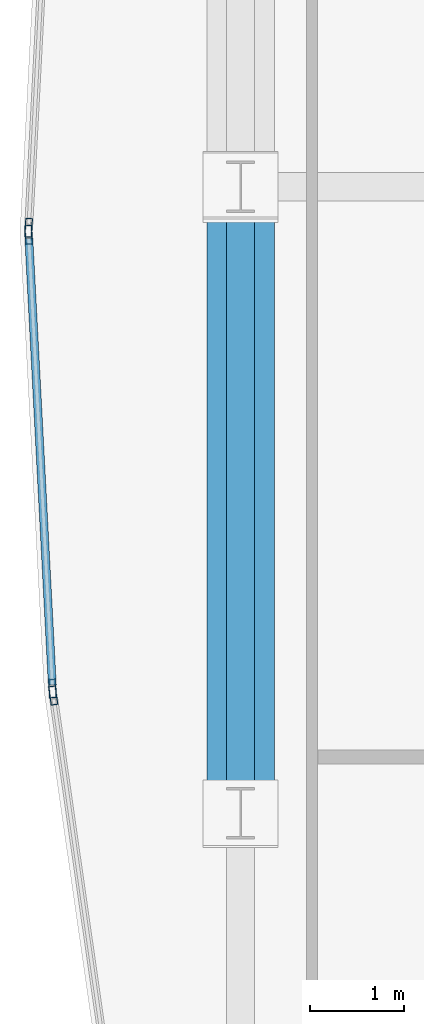
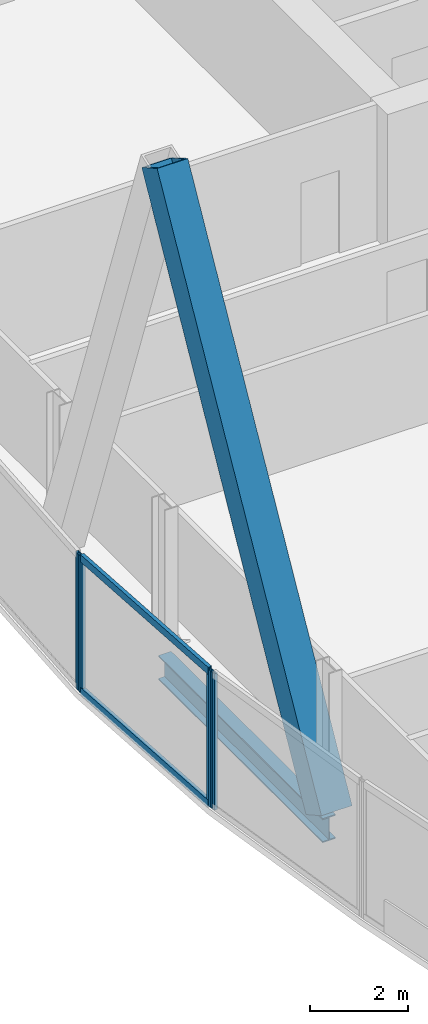
# One storey, part 10 of 31: 7 members, 1 beam, 3 elements without a shape of their own.
"""IFC4 building model written with IfcOpenShell, lengths in metres."""

from ifc_helpers import new_model, si_unit, direction, frame, origin, origin_2d, place, context, subcontext, project, spatial, hollow_rectangle, i_section, extrude, material, material_profile, profile_set, type_object, element, aggregate, save


model = new_model("IFC4")

# Units and contexts
model_context = context("Model", 3, precision=1e-05, world=origin(), true_north=direction((0.0, 1.0)))
body_context = subcontext(model_context, "Body", "Model", "MODEL_VIEW")
ifc_project = project(units=[si_unit("LENGTHUNIT", "METRE"), si_unit("AREAUNIT", "SQUARE_METRE"), si_unit("VOLUMEUNIT", "CUBIC_METRE"), si_unit("PLANEANGLEUNIT", "RADIAN"), si_unit("MASSUNIT", "GRAM", prefix="KILO")], contexts=[model_context])

# Site, building, storey
site_placement = place(None, origin())
site = spatial("IfcSite", under=ifc_project, at=site_placement, CompositionType="ELEMENT")
building_placement = place(site_placement, origin())
building = spatial("IfcBuilding", under=site, at=building_placement, Name="Khoronbel Lancet Exchange", CompositionType="ELEMENT")
storey_placement = place(building_placement, frame((0.0, 0.0, 168.60009765625)))
storey = spatial("IfcBuildingStorey", under=building, at=storey_placement, Name="L42", CompositionType="ELEMENT", Elevation=168.60009765625)

# Beam
ifc_material_1 = material(Name="Steel S355", Category="steel")
ifc_material_profile_1 = material_profile(ifc_material_1, i_section(OverallWidth=0.300048828125, OverallDepth=0.60009765625, WebThickness=0.015380859375, FlangeThickness=0.030029296875, at=origin_2d()), Name="HEB 600")
ifc_profile_set_1 = profile_set([ifc_material_profile_1], Name="Steel S355")
beam_type = type_object("IfcBeamType", Name="BM-BSP2", PredefinedType="SPANDREL", material=ifc_profile_set_1)
beam_placement = place(storey_placement, frame((5.27001953125, 31.425048828125, -0.460205078125), z_axis=(0.0, -1.0, 0.0), x_axis=(1.0, 0.0, 0.0)))
element("IfcBeam", 1, at=beam_placement, inside=storey, type_object=beam_type, Name="Level L42 perimeter spandrel beam SP19", PredefinedType="SPANDREL", context=body_context, shape_type="SweptSolid", body=[
    extrude(i_section(OverallWidth=0.300048828125, OverallDepth=0.60009765625, WebThickness=0.015380859375, FlangeThickness=0.030029296875, at=origin_2d()), origin(), (0.0, 0.0, 1.0), 6.675048828125),
])

# Curtain wall, member
ifc_material_2 = material(Name="Low-E Solar Control Insulating Glass", Category="glass")
curtain_wall_type = type_object("IfcCurtainWallType", Name="CW-4", PredefinedType="NOTDEFINED", material=ifc_material_2)
curtain_wall_1_placement = place(storey_placement, origin())
curtain_wall_1 = element("IfcCurtainWall", 2, at=curtain_wall_1_placement, inside=storey, type_object=curtain_wall_type, Name="Unitised curtain wall CW-L42-E05", PredefinedType="NOTDEFINED")
ifc_material_3 = material(Name="Bronze-Anodised Aluminium 6063-T6", Category="aluminium")
ifc_material_profile_2 = material_profile(ifc_material_3, hollow_rectangle(XDim=0.074951171875, YDim=0.199951171875, WallThickness=0.0048828125, at=origin_2d()), Name="ALU MULLION 75x200")
ifc_profile_set_2 = profile_set([ifc_material_profile_2], Name="Bronze-Anodised Aluminium 6063-T6")
member_type_1 = type_object("IfcMemberType", Name="MEM-CWM2", PredefinedType="MULLION", material=ifc_profile_set_2)
member_1_placement = place(storey_placement, frame((3.273193359375, 26.0048828125, 0.0), z_axis=(0.0, 0.0, 1.0), x_axis=(-0.989829804459, -0.142256663132, 0.0)))
member_1 = element("IfcMember", 3, at=member_1_placement, type_object=member_type_1, Name="CW4 mullion 2", PredefinedType="MULLION", context=body_context, shape_type="SweptSolid", body=[
    extrude(hollow_rectangle(XDim=0.074951171875, YDim=0.199951171875, WallThickness=0.0048828125, at=origin_2d()), origin(), (0.0, 0.0, 1.0), 3.3798828125),
])
aggregate(curtain_wall_1, [member_1])

# Curtain wall, members
curtain_wall_2_placement = place(storey_placement, origin())
curtain_wall_2 = element("IfcCurtainWall", 4, at=curtain_wall_2_placement, inside=storey, type_object=curtain_wall_type, Name="Unitised curtain wall CW-L42-E06", PredefinedType="NOTDEFINED")
member_2_placement = place(storey_placement, frame((3.265869140625, 26.07958984375, 0.0), z_axis=(0.0, 0.0, 1.0), x_axis=(-0.998619009442, -0.052536406245, 0.0)))
member_2 = element("IfcMember", 5, at=member_2_placement, type_object=member_type_1, Name="CW4 mullion 1", PredefinedType="MULLION", context=body_context, shape_type="SweptSolid", body=[
    extrude(hollow_rectangle(XDim=0.074951171875, YDim=0.199951171875, WallThickness=0.0048828125, at=origin_2d()), origin(), (0.0, 0.0, 1.0), 3.3798828125),
])
member_3_placement = place(storey_placement, frame((3.01171875, 30.91259765625, 0.0), z_axis=(0.0, 0.0, 1.0), x_axis=(-0.998619009442, -0.052536406245, 0.0)))
member_3 = element("IfcMember", 6, at=member_3_placement, type_object=member_type_1, Name="CW4 mullion 2", PredefinedType="MULLION", context=body_context, shape_type="SweptSolid", body=[
    extrude(hollow_rectangle(XDim=0.074951171875, YDim=0.199951171875, WallThickness=0.0048828125, at=origin_2d()), origin(), (0.0, 0.0, 1.0), 3.3798828125),
])

# Curtain wall, member
curtain_wall_3_placement = place(storey_placement, origin())
curtain_wall_3 = element("IfcCurtainWall", 7, at=curtain_wall_3_placement, inside=storey, type_object=curtain_wall_type, Name="Unitised curtain wall CW-L42-E07", PredefinedType="NOTDEFINED")
member_4_placement = place(storey_placement, frame((3.01171875, 30.987548828125, 0.0), z_axis=(0.0, 0.0, 1.0), x_axis=(-0.998619009442, 0.052536406245, 0.0)))
member_4 = element("IfcMember", 8, at=member_4_placement, type_object=member_type_1, Name="CW4 mullion 1", PredefinedType="MULLION", context=body_context, shape_type="SweptSolid", body=[
    extrude(hollow_rectangle(XDim=0.074951171875, YDim=0.199951171875, WallThickness=0.0048828125, at=origin_2d()), origin(), (0.0, 0.0, 1.0), 3.3798828125),
])
aggregate(curtain_wall_3, [member_4])

# Member
ifc_material_profile_3 = material_profile(ifc_material_3, hollow_rectangle(XDim=0.0849609375, YDim=0.179931640625, WallThickness=0.0048828125, at=origin_2d()), Name="ALU TRANSOM 85x180")
ifc_profile_set_3 = profile_set([ifc_material_profile_3], Name="Bronze-Anodised Aluminium 6063-T6")
member_type_2 = type_object("IfcMemberType", Name="MEM-CWT1", PredefinedType="USERDEFINED", material=ifc_profile_set_3)
member_5_placement = place(storey_placement, frame((3.263916015625, 26.116943359375, 0.04248046875), z_axis=(-0.052521181464, 0.998619810287, 0.0), x_axis=(-0.998619810287, -0.052521181464, 0.0)))
member_5 = element("IfcMember", 9, at=member_5_placement, type_object=member_type_2, Name="CW4 transom 1.1", ObjectType="TRANSOM", PredefinedType="USERDEFINED", context=body_context, shape_type="SweptSolid", body=[
    extrude(hollow_rectangle(XDim=0.0849609375, YDim=0.179931640625, WallThickness=0.0048828125, at=origin_2d()), origin(), (0.0, 0.0, 1.0), 4.7646484375),
])

member_6_placement = place(storey_placement, frame((3.263916015625, 26.116943359375, 3.33740234375), z_axis=(-0.052521181464, 0.998619810287, 0.0), x_axis=(-0.998619810287, -0.052521181464, 0.0)))
member_6 = element("IfcMember", 10, at=member_6_placement, type_object=member_type_2, Name="CW4 transom 1.2", ObjectType="TRANSOM", PredefinedType="USERDEFINED", context=body_context, shape_type="SweptSolid", body=[
    extrude(hollow_rectangle(XDim=0.0849609375, YDim=0.179931640625, WallThickness=0.0048828125, at=origin_2d()), origin(), (0.0, 0.0, 1.0), 4.7646484375),
])

aggregate(curtain_wall_2, [member_2, member_3, member_5, member_6])

ifc_material_4 = material(Name="Steel S460", Category="steel")
ifc_material_profile_4 = material_profile(ifc_material_4, hollow_rectangle(XDim=0.719970703125, YDim=0.719970703125, WallThickness=0.050048828125, at=origin_2d()), Name="BOX 720x720x50")
ifc_profile_set_4 = profile_set([ifc_material_profile_4], Name="Steel S460")
member_type_3 = type_object("IfcMemberType", Name="MEM-MB2", PredefinedType="BRACE", material=ifc_profile_set_4)
member_7_placement = place(storey_placement, frame((5.27001953125, 24.75, 0.0), z_axis=(0.0, 0.486109322328, 0.873898007061), x_axis=(-1.0, 0.0, 0.0)))
element("IfcMember", 11, at=member_7_placement, inside=storey, type_object=member_type_3, Name="Perimeter lancet brace tier 14 W-P-L", PredefinedType="BRACE", context=body_context, shape_type="SweptSolid", body=[
    extrude(hollow_rectangle(XDim=0.719970703125, YDim=0.719970703125, WallThickness=0.050048828125, at=origin_2d()), origin(), (0.0, 0.0, 1.0), 13.731689453125),
])

save(model, "model.ifc")
